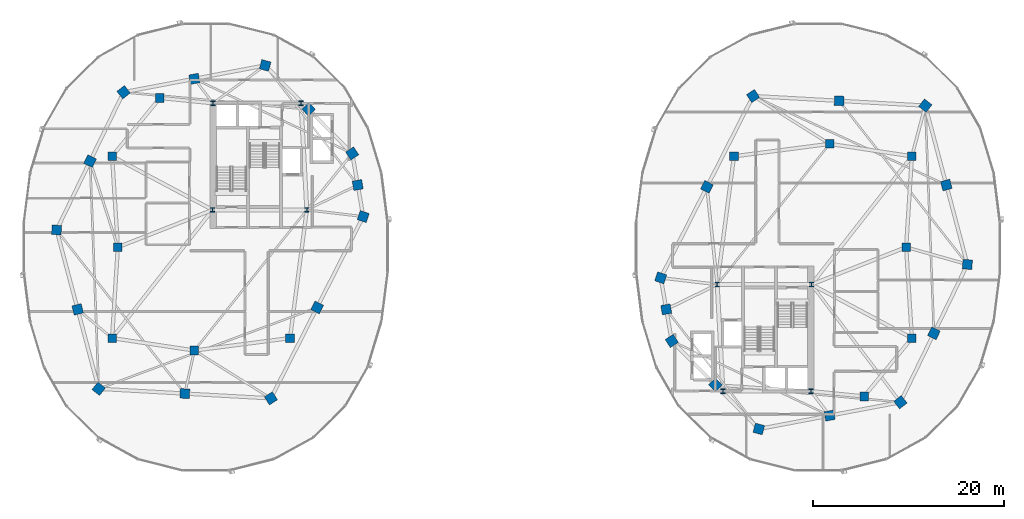
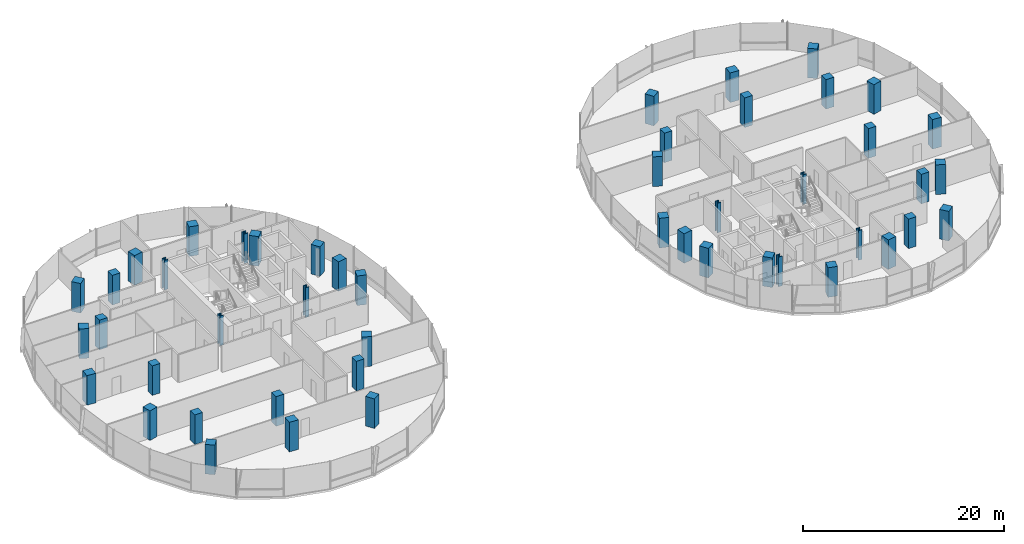
# One storey, part 1 of 23: 48 columns.
"""IFC4 building model written with IfcOpenShell, lengths in metres."""

from ifc_helpers import new_model, si_unit, direction, frame, origin, origin_2d, place, context, subcontext, project, spatial, rectangle, i_section, extrude, material, material_profile, profile_set, type_object, element, save


model = new_model("IFC4")

# Units and contexts
model_context = context("Model", 3, precision=1e-05, world=origin(), true_north=direction((0.0, 1.0)))
body_context = subcontext(model_context, "Body", "Model", "MODEL_VIEW")
ifc_project = project(units=[si_unit("LENGTHUNIT", "METRE"), si_unit("AREAUNIT", "SQUARE_METRE"), si_unit("VOLUMEUNIT", "CUBIC_METRE"), si_unit("PLANEANGLEUNIT", "RADIAN"), si_unit("MASSUNIT", "GRAM", prefix="KILO"), si_unit("THERMODYNAMICTEMPERATUREUNIT", "KELVIN"), si_unit("POWERUNIT", "WATT")], contexts=[model_context])

# Site, building, storey
site_placement = place(None, origin())
site = spatial("IfcSite", under=ifc_project, at=site_placement, CompositionType="ELEMENT")
building_placement = place(site_placement, origin())
building = spatial("IfcBuilding", under=site, at=building_placement, Name="Cundina Bronze Exchange", CompositionType="ELEMENT")
storey_placement = place(building_placement, frame((0.0, 0.0, 172.800048828125)))
storey = spatial("IfcBuildingStorey", under=building, at=storey_placement, Name="L45", CompositionType="ELEMENT", Elevation=172.800048828125)

# Columns
ifc_material_1 = material(Name="Steel ASTM A992 Grade 50", Category="steel")
ifc_material_profile_1 = material_profile(ifc_material_1, i_section(OverallWidth=0.431884765625, OverallDepth=0.498046875, WebThickness=0.0556640625, FlangeThickness=0.0888671875, FilletRadius=0.01806640625, at=origin_2d()), Name="W14X500", Category="steel")
ifc_profile_set_1 = profile_set([ifc_material_profile_1], Name="Steel ASTM A992 Grade 50")
column_type_1 = type_object("IfcColumnType", Name="COL-STL-W14A", PredefinedType="COLUMN", material=ifc_profile_set_1)
for number, where, z_axis, x_axis, name in (
    (1, (-31.300048828125, 3.89990234375, 0.0), (0.0, 0.0, 1.0), (1.0, 0.0, 0.0), "L45 Core Anchor Column W1"),
    (2, (-21.449951171875, 3.89990234375, 0.0), (0.0, 0.0, 1.0), (1.0, 0.0, 0.0), "L45 Core Anchor Column W2"),
    (3, (-22.050048828125, 15.050048828125, 0.0), (0.0, 0.0, 1.0), (1.0, 0.0, 0.0), "L45 Core Anchor Column W3"),
    (4, (-31.25, 15.050048828125, 0.0), (0.0, 0.0, 1.0), (1.0, 0.0, 0.0), "L45 Core Anchor Column W4"),
    (5, (31.300048828125, -3.89990234375, 0.0), (0.0, 0.0, 1.0), (1.0, 0.0, 0.0), "L45 Core Anchor Column E1"),
    (6, (21.449951171875, -3.89990234375, 0.0), (0.0, 0.0, 1.0), (1.0, 0.0, 0.0), "L45 Core Anchor Column E2"),
    (7, (22.050048828125, -15.050048828125, 0.0), (0.0, 0.0, 1.0), (1.0, 0.0, 0.0), "L45 Core Anchor Column E3"),
    (8, (31.25, -15.050048828125, 0.0), (0.0, 0.0, 1.0), (1.0, 0.0, 0.0), "L45 Core Anchor Column E4"),
):
    element("IfcColumn", number, at=place(storey_placement, frame(where, z_axis=z_axis, x_axis=x_axis)), inside=storey, type_object=column_type_1, Name=name, PredefinedType="COLUMN", context=body_context, shape_type="SweptSolid", body=[
        extrude(i_section(OverallWidth=0.431884765625, OverallDepth=0.498046875, WebThickness=0.0556640625, FlangeThickness=0.0888671875, FilletRadius=0.01806640625, at=origin_2d()), origin(), (0.0, 0.0, 1.0), 3.599853515625),
    ])
ifc_material_2 = material(Name="Concrete C50/60", Category="concrete")
ifc_material_profile_2 = material_profile(ifc_material_2, rectangle(XDim=1.0, YDim=1.0, at=origin_2d()), Name="RC1000X1000", Category="concrete")
ifc_profile_set_2 = profile_set([ifc_material_profile_2], Name="Concrete C50/60")
column_type_2 = type_object("IfcColumnType", Name="COL-Z3-1000", PredefinedType="COLUMN", material=ifc_profile_set_2)
for number, where, z_axis, x_axis, name in (
    (9, (-15.550048828125, 3.199951171875, 0.0), (0.0, 0.0, 1.0), (0.315152163383, 0.949041155016, 0.0), "L45 W Perimeter Column 00"),
    (10, (-16.125, 6.5, 0.0), (0.0, 0.0, 1.0), (-0.171585221787, 0.985169280715, 0.0), "L45 W Perimeter Column 01"),
    (11, (-16.699951171875, 9.800048828125, 0.0), (0.0, 0.0, 1.0), (-0.544199833495, 0.838955625301, 0.0), "L45 W Perimeter Column 02"),
    (12, (-21.25, 14.39990234375, 0.0), (0.0, 0.0, 1.0), (-0.703270634186, 0.710922228581, 0.0), "L45 W Perimeter Column 03"),
    (13, (-25.800048828125, 19.0, 0.0), (0.0, 0.0, 1.0), (-0.965970984022, 0.258650455301, 0.0), "L45 W Perimeter Column 04"),
    (14, (-33.199951171875, 17.60009765625, 0.0), (0.0, 0.0, 1.0), (-0.98258037664, -0.185838110843, 0.0), "L45 W Perimeter Column 05"),
    (15, (-40.60009765625, 16.199951171875, 0.0), (0.0, 0.0, 1.0), (-0.785100778485, -0.619368038909, 0.0), "L45 W Perimeter Column 06"),
    (16, (-44.10009765625, 9.0, 0.0), (0.0, 0.0, 1.0), (-0.437115766651, -0.899405251566, 0.0), "L45 W Perimeter Column 07"),
    (17, (-47.60009765625, 1.800048828125, 0.0), (0.0, 0.0, 1.0), (-0.083503921245, -0.996507448611, 0.0), "L45 W Perimeter Column 08"),
    (18, (-45.39990234375, -6.5, 0.0), (0.0, 0.0, 1.0), (0.256289373133, -0.966600102017, 0.0), "L45 W Perimeter Column 09"),
    (19, (-43.199951171875, -14.800048828125, 0.0), (0.0, 0.0, 1.0), (0.786288432137, -0.61785961309, 0.0), "L45 W Perimeter Column 10"),
    (20, (-34.199951171875, -15.300048828125, 0.0), (0.0, 0.0, 1.0), (0.998460188734, -0.055472980025, 0.0), "L45 W Perimeter Column 11"),
    (21, (-25.199951171875, -15.800048828125, 0.0), (0.0, 0.0, 1.0), (0.838099763533, 0.545516989988, 0.0), "L45 W Perimeter Column 12"),
    (22, (-20.375, -6.300048828125, 0.0), (0.0, 0.0, 1.0), (0.452901591366, 0.891560513111, 0.0), "L45 W Perimeter Column 13"),
    (23, (15.550048828125, -3.199951171875, 0.0), (0.0, 0.0, 1.0), (-0.315152163383, -0.949041155016, 0.0), "L45 E Perimeter Column 00"),
    (24, (16.125, -6.5, 0.0), (0.0, 0.0, 1.0), (0.171585221787, -0.985169280715, 0.0), "L45 E Perimeter Column 01"),
    (25, (16.699951171875, -9.800048828125, 0.0), (0.0, 0.0, 1.0), (0.544199833495, -0.838955625301, 0.0), "L45 E Perimeter Column 02"),
    (26, (21.25, -14.39990234375, 0.0), (0.0, 0.0, 1.0), (0.703270634186, -0.710922228581, 0.0), "L45 E Perimeter Column 03"),
    (27, (25.800048828125, -19.0, 0.0), (0.0, 0.0, 1.0), (0.965970984022, -0.258650455301, 0.0), "L45 E Perimeter Column 04"),
    (28, (33.199951171875, -17.60009765625, 0.0), (0.0, 0.0, 1.0), (0.98258037664, 0.185838110843, 0.0), "L45 E Perimeter Column 05"),
    (29, (40.60009765625, -16.199951171875, 0.0), (0.0, 0.0, 1.0), (0.785100778485, 0.619368038909, 0.0), "L45 E Perimeter Column 06"),
    (30, (44.10009765625, -9.0, 0.0), (0.0, 0.0, 1.0), (0.437115766651, 0.899405251566, 0.0), "L45 E Perimeter Column 07"),
    (31, (47.60009765625, -1.800048828125, 0.0), (0.0, 0.0, 1.0), (0.083503921245, 0.996507448611, 0.0), "L45 E Perimeter Column 08"),
    (32, (45.39990234375, 6.5, 0.0), (0.0, 0.0, 1.0), (-0.256289373133, 0.966600102017, 0.0), "L45 E Perimeter Column 09"),
    (33, (43.199951171875, 14.800048828125, 0.0), (0.0, 0.0, 1.0), (-0.786288432137, 0.61785961309, 0.0), "L45 E Perimeter Column 10"),
    (34, (34.199951171875, 15.300048828125, 0.0), (0.0, 0.0, 1.0), (-0.998460188734, 0.055472980025, 0.0), "L45 E Perimeter Column 11"),
    (35, (25.199951171875, 15.800048828125, 0.0), (0.0, 0.0, 1.0), (-0.838099763533, -0.545516989988, 0.0), "L45 E Perimeter Column 12"),
    (36, (20.375, 6.300048828125, 0.0), (0.0, 0.0, 1.0), (-0.452901591366, -0.891560513111, 0.0), "L45 E Perimeter Column 13"),
):
    element("IfcColumn", number, at=place(storey_placement, frame(where, z_axis=z_axis, x_axis=x_axis)), inside=storey, type_object=column_type_2, Name=name, PredefinedType="COLUMN", context=body_context, shape_type="SweptSolid", body=[
        extrude(rectangle(XDim=1.0, YDim=1.0, at=origin_2d()), origin(), (0.0, 0.0, 1.0), 3.599853515625),
    ])
ifc_material_profile_3 = material_profile(ifc_material_2, rectangle(XDim=0.89990234375, YDim=0.89990234375, at=origin_2d()), Name="RC900X900", Category="concrete")
ifc_profile_set_3 = profile_set([ifc_material_profile_3], Name="Concrete C50/60")
column_type_3 = type_object("IfcColumnType", Name="COL-Z4-900", PredefinedType="COLUMN", material=ifc_profile_set_3)
for number, where, z_axis, x_axis, name in (
    (37, (-41.199951171875, 0.0, 0.0), (0.0, 0.0, 1.0), (1.0, 0.0, 0.0), "L45 W Inner Ring Column 1"),
    (38, (-41.800048828125, 9.5, 0.0), (0.0, 0.0, 1.0), (1.0, 0.0, 0.0), "L45 W Inner Ring Column 2"),
    (39, (-36.800048828125, 15.60009765625, 0.0), (0.0, 0.0, 1.0), (1.0, 0.0, 0.0), "L45 W Inner Ring Column 3"),
    (40, (-41.800048828125, -9.5, 0.0), (0.0, 0.0, 1.0), (1.0, 0.0, 0.0), "L45 W Inner Ring Column 4"),
    (41, (-33.199951171875, -10.800048828125, 0.0), (0.0, 0.0, 1.0), (1.0, 0.0, 0.0), "L45 W Inner Ring Column 5"),
    (42, (-23.199951171875, -9.5, 0.0), (0.0, 0.0, 1.0), (1.0, 0.0, 0.0), "L45 W Inner Ring Column 6"),
    (43, (41.199951171875, 0.0, 0.0), (0.0, 0.0, 1.0), (1.0, 0.0, 0.0), "L45 E Inner Ring Column 1"),
    (44, (41.800048828125, -9.5, 0.0), (0.0, 0.0, 1.0), (1.0, 0.0, 0.0), "L45 E Inner Ring Column 2"),
    (45, (36.800048828125, -15.60009765625, 0.0), (0.0, 0.0, 1.0), (1.0, 0.0, 0.0), "L45 E Inner Ring Column 3"),
    (46, (41.800048828125, 9.5, 0.0), (0.0, 0.0, 1.0), (1.0, 0.0, 0.0), "L45 E Inner Ring Column 4"),
    (47, (33.199951171875, 10.800048828125, 0.0), (0.0, 0.0, 1.0), (1.0, 0.0, 0.0), "L45 E Inner Ring Column 5"),
    (48, (23.199951171875, 9.5, 0.0), (0.0, 0.0, 1.0), (1.0, 0.0, 0.0), "L45 E Inner Ring Column 6"),
):
    element("IfcColumn", number, at=place(storey_placement, frame(where, z_axis=z_axis, x_axis=x_axis)), inside=storey, type_object=column_type_3, Name=name, PredefinedType="COLUMN", context=body_context, shape_type="SweptSolid", body=[
        extrude(rectangle(XDim=0.89990234375, YDim=0.89990234375, at=origin_2d()), origin(), (0.0, 0.0, 1.0), 3.599853515625),
    ])

save(model, "model.ifc")
